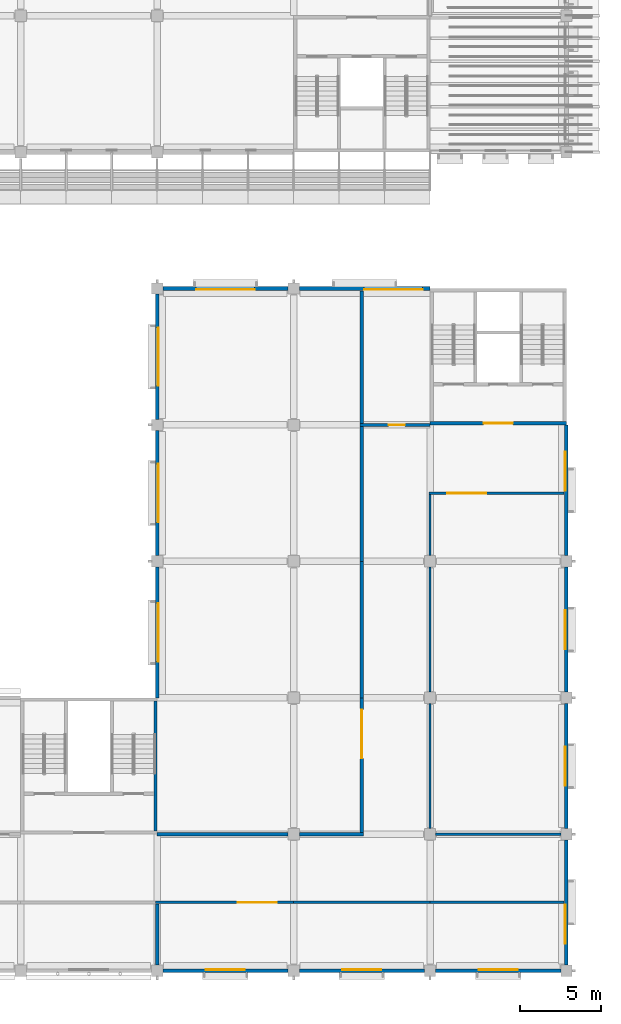
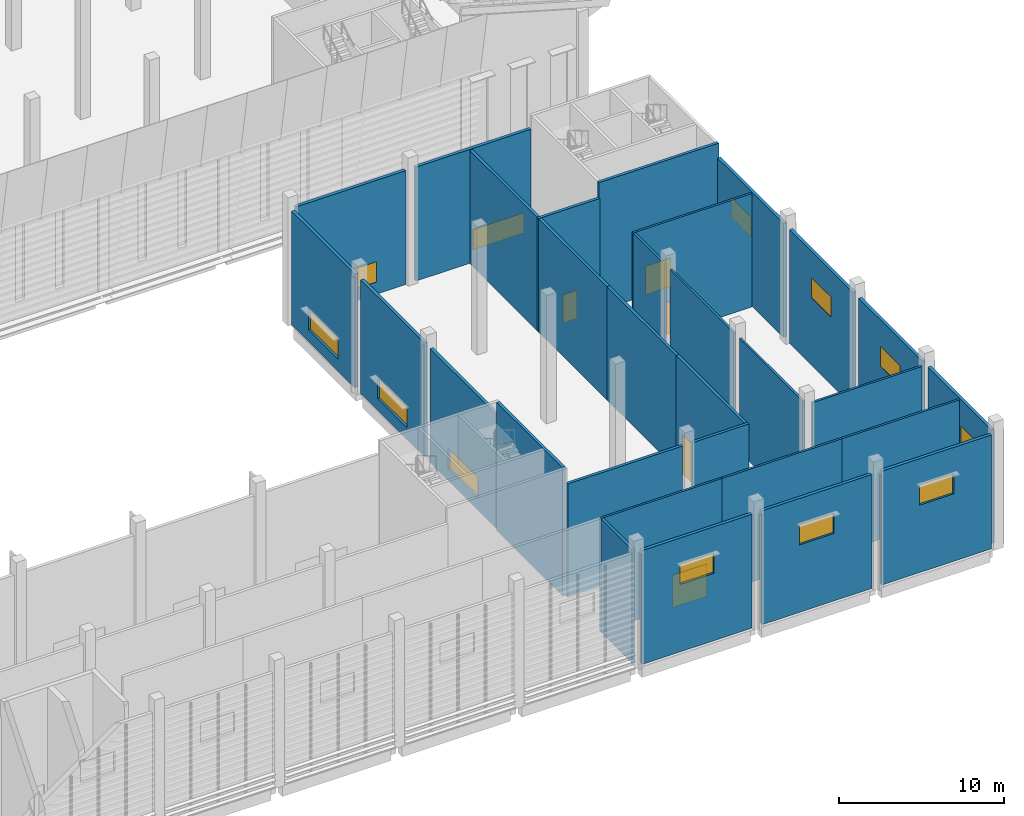
# One storey, part 49 of 114: 30 walls, 12 windows, 5 doors, 17 openings.
"""IFC4 building model written with IfcOpenShell, lengths in metres."""

from ifc_helpers import new_model, si_unit, direction, frame, frame_2d, origin, place, context, subcontext, project, spatial, rectangle, extrude, material, layer, layer_set, type_object, element, fill, save


model = new_model("IFC4")

# Units and contexts
model_context = context("Model", 3, precision=1e-05, world=origin(), true_north=direction((0.0, 1.0)))
body_context = subcontext(model_context, "Body", "Model", "MODEL_VIEW")
ifc_project = project(units=[si_unit("LENGTHUNIT", "METRE"), si_unit("AREAUNIT", "SQUARE_METRE"), si_unit("VOLUMEUNIT", "CUBIC_METRE"), si_unit("PLANEANGLEUNIT", "RADIAN"), si_unit("MASSUNIT", "GRAM", prefix="KILO")], contexts=[model_context])

# Site, building, storey
site_placement = place(None, origin())
site = spatial("IfcSite", under=ifc_project, at=site_placement, CompositionType="ELEMENT")
building_placement = place(site_placement, origin())
building = spatial("IfcBuilding", under=site, at=building_placement, Name="Almond Square Museum", CompositionType="ELEMENT")
storey_placement = place(building_placement, frame((0.0, 0.0, 10.5)))
storey = spatial("IfcBuildingStorey", under=building, at=storey_placement, Name="L02", CompositionType="ELEMENT", Elevation=10.5)

# Wall
ifc_material_1 = material(Name="Concrete blockwork 200", Category="masonry")
ifc_layer_1 = layer(ifc_material_1, 0.199951171875)
ifc_layer_set_1 = layer_set([ifc_layer_1], Name="Concrete blockwork 200")
wall_type_1 = type_object("IfcWallType", Name="Fire partition 200 blockwork", PredefinedType="PARTITIONING", material=ifc_layer_set_1)
wall_1_placement = place(storey_placement, frame((144.60009765625, 33.699951171875, 0.0), z_axis=(0.0, 0.0, 1.0), x_axis=(0.0, 1.0, 0.0)))
element("IfcWall", 1, at=wall_1_placement, inside=storey, type_object=wall_type_1, Name="L02 partition 17", PredefinedType="PARTITIONING", context=body_context, shape_type="SweptSolid", body=[
    extrude(rectangle(XDim=8.150146484375, YDim=0.199951171875, at=frame_2d((4.0751953125, 0.0))), origin(), (0.0, 0.0, 1.0), 8.39990234375),
])

# Wall, opening, door
wall_2_placement = place(storey_placement, frame((144.5, 33.60009765625, 0.0), z_axis=(0.0, 0.0, 1.0), x_axis=(1.0, 0.0, 0.0)))
wall_2 = element("IfcWall", 2, at=wall_2_placement, inside=storey, type_object=wall_type_1, Name="L02 partition 18", PredefinedType="PARTITIONING", context=body_context, shape_type="SweptSolid", body=[
    extrude(rectangle(XDim=4.300048828125, YDim=0.199951171875, at=frame_2d((2.14990234375, 0.0))), origin(), (0.0, 0.0, 1.0), 8.39990234375),
])
opening_1_placement = place(wall_2_placement, frame((1.75, 0.0, 0.0)))
opening_1 = element("IfcOpeningElement", 3, at=opening_1_placement, cuts=wall_2, Name="Opening D2104", PredefinedType="OPENING", context=body_context, shape_type="SweptSolid", body=[
    extrude(rectangle(XDim=1.0, YDim=2.10009765625, at=frame_2d((0.5, 1.050048828125))), frame((0.0, 0.10986328125, 0.0), z_axis=(0.0, -1.0, 0.0), x_axis=(1.0, 0.0, 0.0)), (0.0, 0.0, 1.0), 0.219970703125),
])
ifc_material_2 = material(Name="Steel", Category="steel")
door_type_1 = type_object("IfcDoorType", Name="Fire door 1000 x 2100 FD60 single", OperationType="NOTDEFINED", PredefinedType="DOOR", material=ifc_material_2)
door_1_placement = place(opening_1_placement, origin())
door_1 = element("IfcDoor", 4, at=door_1_placement, inside=storey, type_object=door_type_1, Name="L02 door Cleaners' Store 1 to Service Corridor 1", OperationType="SINGLE_SWING_RIGHT", OverallHeight=2.10009765625, OverallWidth=1.0, PredefinedType="DOOR", context=body_context, shape_type="SweptSolid", body=[
    extrude(rectangle(XDim=1.0, YDim=2.10009765625, at=frame_2d((0.5, 1.050048828125))), frame((0.0, 0.02490234375, 0.0), z_axis=(0.0, -1.0, 0.0), x_axis=(1.0, 0.0, 0.0)), (0.0, 0.0, 1.0), 0.050048828125),
])
fill(opening_1, door_1)

wall_3_placement = place(storey_placement, frame((144.60009765625, 8.5, 0.0), z_axis=(0.0, 0.0, 1.0), x_axis=(0.0, 1.0, 0.0)))
wall_3 = element("IfcWall", 5, at=wall_3_placement, inside=storey, type_object=wall_type_1, Name="L02 partition 19", PredefinedType="PARTITIONING", context=body_context, shape_type="SweptSolid", body=[
    extrude(rectangle(XDim=8.300048828125, YDim=0.199951171875, at=frame_2d((4.14990234375, 0.0))), origin(), (0.0, 0.0, 1.0), 8.39990234375),
])
opening_2_placement = place(wall_3_placement, frame((4.574951171875, 0.0, 0.0)))
opening_2 = element("IfcOpeningElement", 6, at=opening_2_placement, cuts=wall_3, Name="Opening D2105", PredefinedType="OPENING", context=body_context, shape_type="SweptSolid", body=[
    extrude(rectangle(XDim=3.0, YDim=3.0, at=frame_2d((1.5, 1.5))), frame((0.0, 0.10986328125, 0.0), z_axis=(0.0, -1.0, 0.0), x_axis=(1.0, 0.0, 0.0)), (0.0, 0.0, 1.0), 0.219970703125),
])
ifc_material_3 = material(Name="Steel", Category="steel")
door_type_2 = type_object("IfcDoorType", Name="Dock door 3000 x 3000 steel double", OperationType="NOTDEFINED", PredefinedType="DOOR", material=ifc_material_3)
door_2_placement = place(opening_2_placement, origin())
door_2 = element("IfcDoor", 7, at=door_2_placement, inside=storey, type_object=door_type_2, Name="L02 door Tall Object Store 1 to Service Corridor 1", OperationType="DOUBLE_DOOR_SINGLE_SWING", OverallHeight=3.0, OverallWidth=3.0, PredefinedType="DOOR", context=body_context, shape_type="SweptSolid", body=[
    extrude(rectangle(XDim=3.0, YDim=3.0, at=frame_2d((1.5, 1.5))), frame((0.0, 0.02490234375, 0.0), z_axis=(0.0, -1.0, 0.0), x_axis=(1.0, 0.0, 0.0)), (0.0, 0.0, 1.0), 0.050048828125),
])
fill(opening_2, door_2)

# Walls
wall_4_placement = place(storey_placement, frame((144.60009765625, 16.800048828125, 0.0), z_axis=(0.0, 0.0, 1.0), x_axis=(0.0, 1.0, 0.0)))
element("IfcWall", 8, at=wall_4_placement, inside=storey, type_object=wall_type_1, Name="L02 partition 20", PredefinedType="PARTITIONING", context=body_context, shape_type="SweptSolid", body=[
    extrude(rectangle(XDim=8.39990234375, YDim=0.199951171875, at=frame_2d((4.199951171875, 0.0))), origin(), (0.0, 0.0, 1.0), 8.39990234375),
])
wall_5_placement = place(storey_placement, frame((144.60009765625, 25.199951171875, 0.0), z_axis=(0.0, 0.0, 1.0), x_axis=(0.0, 1.0, 0.0)))
element("IfcWall", 9, at=wall_5_placement, inside=storey, type_object=wall_type_1, Name="L02 partition 21", PredefinedType="PARTITIONING", context=body_context, shape_type="SweptSolid", body=[
    extrude(rectangle(XDim=8.300048828125, YDim=0.199951171875, at=frame_2d((4.14990234375, 0.0))), origin(), (0.0, 0.0, 1.0), 8.39990234375),
])
wall_6_placement = place(storey_placement, frame((132.0, 8.39990234375, 0.0), z_axis=(0.0, 0.0, 1.0), x_axis=(1.0, 0.0, 0.0)))
element("IfcWall", 10, at=wall_6_placement, inside=storey, type_object=wall_type_1, Name="L02 partition 22", PredefinedType="PARTITIONING", context=body_context, shape_type="SweptSolid", body=[
    extrude(rectangle(XDim=8.050048828125, YDim=0.199951171875, at=frame_2d((4.02490234375, 0.0))), origin(), (0.0, 0.0, 1.0), 8.39990234375),
])
wall_7_placement = place(storey_placement, frame((140.75, 8.39990234375, 0.0), z_axis=(0.0, 0.0, 1.0), x_axis=(1.0, 0.0, 0.0)))
element("IfcWall", 11, at=wall_7_placement, inside=storey, type_object=wall_type_1, Name="L02 partition 23", PredefinedType="PARTITIONING", context=body_context, shape_type="SweptSolid", body=[
    extrude(rectangle(XDim=3.949951171875, YDim=0.199951171875, at=frame_2d((1.97509765625, 0.0))), origin(), (0.0, 0.0, 1.0), 8.39990234375),
])
wall_8_placement = place(storey_placement, frame((132.0, 0.35009765625, 0.0), z_axis=(0.0, 0.0, 1.0), x_axis=(0.0, 1.0, 0.0)))
element("IfcWall", 12, at=wall_8_placement, inside=storey, type_object=wall_type_1, Name="L02 partition 67", PredefinedType="PARTITIONING", context=body_context, shape_type="SweptSolid", body=[
    extrude(rectangle(XDim=3.75, YDim=0.199951171875, at=frame_2d((1.875, 0.0))), origin(), (0.0, 0.0, 1.0), 8.39990234375),
])

# Wall, opening, door
ifc_material_4 = material(Name="Plasterboard on steel stud", Category="steel")
ifc_layer_2 = layer(ifc_material_4, 0.14990234375)
ifc_layer_set_2 = layer_set([ifc_layer_2], Name="Plasterboard on steel stud")
wall_type_2 = type_object("IfcWallType", Name="Partition 150 plasterboard on steel stud", PredefinedType="PARTITIONING", material=ifc_layer_set_2)
wall_9_placement = place(storey_placement, frame((148.72509765625, 29.39990234375, 0.0), z_axis=(0.0, 0.0, 1.0), x_axis=(1.0, 0.0, 0.0)))
wall_9 = element("IfcWall", 13, at=wall_9_placement, inside=storey, type_object=wall_type_2, Name="L02 partition 26", PredefinedType="PARTITIONING", context=body_context, shape_type="SweptSolid", body=[
    extrude(rectangle(XDim=8.324951171875, YDim=0.14990234375, at=frame_2d((4.16259765625, 0.0))), origin(), (0.0, 0.0, 1.0), 8.39990234375),
])
opening_3_placement = place(wall_9_placement, frame((1.137451171875, 0.0, 0.0)))
opening_3 = element("IfcOpeningElement", 14, at=opening_3_placement, cuts=wall_9, Name="Opening D2107", PredefinedType="OPENING", context=body_context, shape_type="SweptSolid", body=[
    extrude(rectangle(XDim=2.39990234375, YDim=2.39990234375, at=frame_2d((1.199951171875, 1.199951171875))), frame((0.0, 0.0849609375, 0.0), z_axis=(0.0, -1.0, 0.0), x_axis=(1.0, 0.0, 0.0)), (0.0, 0.0, 1.0), 0.169921875),
])
ifc_material_5 = material(Name="Timber", Category="wood")
door_type_3 = type_object("IfcDoorType", Name="Gallery door 2400 x 2400 timber double", OperationType="NOTDEFINED", PredefinedType="DOOR", material=ifc_material_5)
door_3_placement = place(opening_3_placement, origin())
door_3 = element("IfcDoor", 15, at=door_3_placement, inside=storey, type_object=door_type_3, Name="L02 door Large Object Studio 1 to Service Corridor 1", OperationType="DOUBLE_DOOR_SINGLE_SWING", OverallHeight=2.39990234375, OverallWidth=2.39990234375, PredefinedType="DOOR", context=body_context, shape_type="SweptSolid", body=[
    extrude(rectangle(XDim=2.39990234375, YDim=2.39990234375, at=frame_2d((1.199951171875, 1.199951171875))), frame((0.0, 0.02490234375, 0.0), z_axis=(0.0, -1.0, 0.0), x_axis=(1.0, 0.0, 0.0)), (0.0, 0.0, 1.0), 0.050048828125),
])
fill(opening_3, door_3)

# Walls
wall_10_placement = place(storey_placement, frame((149.14990234375, 8.39990234375, 0.0), z_axis=(0.0, 0.0, 1.0), x_axis=(1.0, 0.0, 0.0)))
element("IfcWall", 16, at=wall_10_placement, inside=storey, type_object=wall_type_2, Name="L02 partition 27", PredefinedType="PARTITIONING", context=body_context, shape_type="SweptSolid", body=[
    extrude(rectangle(XDim=7.7001953125, YDim=0.14990234375, at=frame_2d((3.85009765625, 0.0))), origin(), (0.0, 0.0, 1.0), 8.39990234375),
])
wall_11_placement = place(storey_placement, frame((148.800048828125, 8.75, 0.0), z_axis=(0.0, 0.0, 1.0), x_axis=(0.0, 1.0, 0.0)))
element("IfcWall", 17, at=wall_11_placement, inside=storey, type_object=wall_type_2, Name="L02 partition 28", PredefinedType="PARTITIONING", context=body_context, shape_type="SweptSolid", body=[
    extrude(rectangle(XDim=7.699951171875, YDim=0.14990234375, at=frame_2d((3.85009765625, 0.0))), origin(), (0.0, 0.0, 1.0), 8.39990234375),
])
wall_12_placement = place(storey_placement, frame((148.800048828125, 17.14990234375, 0.0), z_axis=(0.0, 0.0, 1.0), x_axis=(0.0, 1.0, 0.0)))
element("IfcWall", 18, at=wall_12_placement, inside=storey, type_object=wall_type_2, Name="L02 partition 29", PredefinedType="PARTITIONING", context=body_context, shape_type="SweptSolid", body=[
    extrude(rectangle(XDim=7.7001953125, YDim=0.14990234375, at=frame_2d((3.85009765625, 0.0))), origin(), (0.0, 0.0, 1.0), 8.39990234375),
])
wall_13_placement = place(storey_placement, frame((148.800048828125, 25.550048828125, 0.0), z_axis=(0.0, 0.0, 1.0), x_axis=(0.0, 1.0, 0.0)))
element("IfcWall", 19, at=wall_13_placement, inside=storey, type_object=wall_type_2, Name="L02 partition 30", PredefinedType="PARTITIONING", context=body_context, shape_type="SweptSolid", body=[
    extrude(rectangle(XDim=3.77490234375, YDim=0.14990234375, at=frame_2d((1.887451171875, 0.0))), origin(), (0.0, 0.0, 1.0), 8.39990234375),
])

# Wall, opening, door
wall_14_placement = place(storey_placement, frame((131.89990234375, 4.199951171875, 0.0), z_axis=(0.0, 0.0, 1.0), x_axis=(1.0, 0.0, 0.0)))
wall_14 = element("IfcWall", 20, at=wall_14_placement, inside=storey, type_object=wall_type_2, Name="L02 partition 49", PredefinedType="PARTITIONING", context=body_context, shape_type="SweptSolid", body=[
    extrude(rectangle(XDim=8.5, YDim=0.14990234375, at=frame_2d((4.25, 0.0))), origin(), (0.0, 0.0, 1.0), 8.39990234375),
])
opening_4_placement = place(wall_14_placement, frame((5.074951171875, 0.0, 0.0)))
opening_4 = element("IfcOpeningElement", 21, at=opening_4_placement, cuts=wall_14, Name="Opening D2118", PredefinedType="OPENING", context=body_context, shape_type="SweptSolid", body=[
    extrude(rectangle(XDim=2.39990234375, YDim=2.39990234375, at=frame_2d((1.199951171875, 1.199951171875))), frame((0.0, 0.0849609375, 0.0), z_axis=(0.0, -1.0, 0.0), x_axis=(1.0, 0.0, 0.0)), (0.0, 0.0, 1.0), 0.169921875),
])
door_4_placement = place(opening_4_placement, origin())
door_4 = element("IfcDoor", 22, at=door_4_placement, inside=storey, type_object=door_type_3, Name="L02 door Large Object Workshop to Service Corridor 1", OperationType="DOUBLE_DOOR_SINGLE_SWING", OverallHeight=2.39990234375, OverallWidth=2.39990234375, PredefinedType="DOOR", context=body_context, shape_type="SweptSolid", body=[
    extrude(rectangle(XDim=2.39990234375, YDim=2.39990234375, at=frame_2d((1.199951171875, 1.199951171875))), frame((0.0, 0.02490234375, 0.0), z_axis=(0.0, -1.0, 0.0), x_axis=(1.0, 0.0, 0.0)), (0.0, 0.0, 1.0), 0.050048828125),
])
fill(opening_4, door_4)

# Walls
wall_15_placement = place(storey_placement, frame((140.39990234375, 4.199951171875, 0.0), z_axis=(0.0, 0.0, 1.0), x_axis=(1.0, 0.0, 0.0)))
element("IfcWall", 23, at=wall_15_placement, inside=storey, type_object=wall_type_2, Name="L02 partition 50", PredefinedType="PARTITIONING", context=body_context, shape_type="SweptSolid", body=[
    extrude(rectangle(XDim=8.400146484375, YDim=0.14990234375, at=frame_2d((4.2001953125, 0.0))), origin(), (0.0, 0.0, 1.0), 8.39990234375),
])
wall_16_placement = place(storey_placement, frame((148.800048828125, 4.199951171875, 0.0), z_axis=(0.0, 0.0, 1.0), x_axis=(1.0, 0.0, 0.0)))
element("IfcWall", 24, at=wall_16_placement, inside=storey, type_object=wall_type_2, Name="L02 partition 51", PredefinedType="PARTITIONING", context=body_context, shape_type="SweptSolid", body=[
    extrude(rectangle(XDim=8.25, YDim=0.14990234375, at=frame_2d((4.125, 0.0))), origin(), (0.0, 0.0, 1.0), 8.39990234375),
])
ifc_material_6 = material(Name="Concrete C40/50", Category="concrete")
ifc_layer_3 = layer(ifc_material_6, 0.199951171875)
ifc_layer_set_3 = layer_set([ifc_layer_3], Name="Concrete C40/50")
wall_type_3 = type_object("IfcWallType", Name="RC shear wall 200 C40/50", PredefinedType="SHEAR", material=ifc_layer_set_3)
wall_17_placement = place(storey_placement, frame((131.89990234375, 8.60009765625, 0.0), z_axis=(0.0, 0.0, 1.0), x_axis=(0.0, 1.0, 0.0)))
element("IfcWall", 25, at=wall_17_placement, inside=storey, type_object=wall_type_3, Name="Core S3 east wall L02", PredefinedType="SHEAR", context=body_context, shape_type="SweptSolid", body=[
    extrude(rectangle(XDim=8.0, YDim=0.199951171875, at=frame_2d((4.0, 0.0))), origin(), (0.0, 0.0, 1.0), 9.5),
])

# Wall, opening, door
wall_18_placement = place(storey_placement, frame((148.800048828125, 33.699951171875, 0.0), z_axis=(0.0, 0.0, 1.0), x_axis=(1.0, 0.0, 0.0)))
wall_18 = element("IfcWall", 26, at=wall_18_placement, inside=storey, type_object=wall_type_3, Name="Core X1 south wall L02", PredefinedType="SHEAR", context=body_context, shape_type="SweptSolid", body=[
    extrude(rectangle(XDim=8.39990234375, YDim=0.199951171875, at=frame_2d((4.199951171875, 0.0))), origin(), (0.0, 0.0, 1.0), 9.5),
])
opening_5_placement = place(wall_18_placement, frame((3.300048828125, 0.0, 0.0)))
opening_5 = element("IfcOpeningElement", 27, at=opening_5_placement, cuts=wall_18, Name="Opening D2176", PredefinedType="OPENING", context=body_context, shape_type="SweptSolid", body=[
    extrude(rectangle(XDim=1.800048828125, YDim=2.10009765625, at=frame_2d((0.89990234375, 1.050048828125))), frame((0.0, 0.10986328125, 0.0), z_axis=(0.0, -1.0, 0.0), x_axis=(1.0, 0.0, 0.0)), (0.0, 0.0, 1.0), 0.219970703125),
])
ifc_material_7 = material(Name="Steel", Category="steel")
door_type_4 = type_object("IfcDoorType", Name="Fire door 1800 x 2100 FD60 double", OperationType="NOTDEFINED", PredefinedType="DOOR", material=ifc_material_7)
door_5_placement = place(opening_5_placement, origin())
door_5 = element("IfcDoor", 28, at=door_5_placement, inside=storey, type_object=door_type_4, Name="L02 stair core X1 lobby door", OperationType="DOUBLE_DOOR_SINGLE_SWING", OverallHeight=2.10009765625, OverallWidth=1.800048828125, PredefinedType="DOOR", context=body_context, shape_type="SweptSolid", body=[
    extrude(rectangle(XDim=1.800048828125, YDim=2.10009765625, at=frame_2d((0.89990234375, 1.050048828125))), frame((0.0, 0.02490234375, 0.0), z_axis=(0.0, -1.0, 0.0), x_axis=(1.0, 0.0, 0.0)), (0.0, 0.0, 1.0), 0.050048828125),
])
fill(opening_5, door_5)

# Wall, opening, window
ifc_material_8 = material(Name="Concrete C30/37", Category="concrete")
ifc_layer_4 = layer(ifc_material_8, 0.219970703125)
ifc_layer_set_4 = layer_set([ifc_layer_4], Name="Concrete C30/37")
wall_type_4 = type_object("IfcWallType", Name="Stucco panel wall 220 with insulation", PredefinedType="SOLIDWALL", material=ifc_layer_set_4)
wall_19_placement = place(storey_placement, frame((132.35009765625, 0.0, 0.0), z_axis=(0.0, 0.0, 1.0), x_axis=(1.0, 0.0, 0.0)))
wall_19 = element("IfcWall", 29, at=wall_19_placement, inside=storey, type_object=wall_type_4, Name="External wall W4 V5E L02 S01", PredefinedType="SOLIDWALL", context=body_context, shape_type="SweptSolid", body=[
    extrude(rectangle(XDim=7.699951171875, YDim=0.219970703125, at=frame_2d((3.85009765625, 0.0))), origin(), (0.0, 0.0, 1.0), 8.43994140625),
])
opening_6_placement = place(wall_19_placement, frame((2.64990234375, 0.0, 5.0)))
opening_6 = element("IfcOpeningElement", 30, at=opening_6_placement, cuts=wall_19, Name="Opening W2015", PredefinedType="OPENING", context=body_context, shape_type="SweptSolid", body=[
    extrude(rectangle(XDim=2.39990234375, YDim=1.5, at=frame_2d((1.199951171875, 0.75))), frame((0.0, 0.119873046875, 0.0), z_axis=(0.0, -1.0, 0.0), x_axis=(1.0, 0.0, 0.0)), (0.0, 0.0, 1.0), 0.239990234375),
])
ifc_material_9 = material(Name="Aluminium frame and laminated glass", Category="aluminium")
window_type_1 = type_object("IfcWindowType", Name="Tall studio clerestory window", PartitioningType="SINGLE_PANEL", PredefinedType="WINDOW", material=ifc_material_9)
window_1_placement = place(opening_6_placement, origin())
window_1 = element("IfcWindow", 31, at=window_1_placement, inside=storey, type_object=window_type_1, Name="Tall studio clerestory window W2015", OverallHeight=1.5, OverallWidth=2.39990234375, PartitioningType="SINGLE_PANEL", PredefinedType="WINDOW", context=body_context, shape_type="SweptSolid", body=[
    extrude(rectangle(XDim=2.39990234375, YDim=1.5, at=frame_2d((1.199951171875, 0.75))), frame((0.0, 0.090087890625, 0.0), z_axis=(0.0, -1.0, 0.0), x_axis=(1.0, 0.0, 0.0)), (0.0, 0.0, 1.0), 0.06005859375),
])
fill(opening_6, window_1)

wall_20_placement = place(storey_placement, frame((140.75, 0.0, 0.0), z_axis=(0.0, 0.0, 1.0), x_axis=(1.0, 0.0, 0.0)))
wall_20 = element("IfcWall", 32, at=wall_20_placement, inside=storey, type_object=wall_type_4, Name="External wall W4 V5E L02 S02", PredefinedType="SOLIDWALL", context=body_context, shape_type="SweptSolid", body=[
    extrude(rectangle(XDim=7.699951171875, YDim=0.219970703125, at=frame_2d((3.85009765625, 0.0))), origin(), (0.0, 0.0, 1.0), 8.43994140625),
])
opening_7_placement = place(wall_20_placement, frame((2.64990234375, 0.0, 5.0)))
opening_7 = element("IfcOpeningElement", 33, at=opening_7_placement, cuts=wall_20, Name="Opening W2016", PredefinedType="OPENING", context=body_context, shape_type="SweptSolid", body=[
    extrude(rectangle(XDim=2.39990234375, YDim=1.5, at=frame_2d((1.199951171875, 0.75))), frame((0.0, 0.119873046875, 0.0), z_axis=(0.0, -1.0, 0.0), x_axis=(1.0, 0.0, 0.0)), (0.0, 0.0, 1.0), 0.239990234375),
])
window_2_placement = place(opening_7_placement, origin())
window_2 = element("IfcWindow", 34, at=window_2_placement, inside=storey, type_object=window_type_1, Name="Tall studio clerestory window W2016", OverallHeight=1.5, OverallWidth=2.39990234375, PartitioningType="SINGLE_PANEL", PredefinedType="WINDOW", context=body_context, shape_type="SweptSolid", body=[
    extrude(rectangle(XDim=2.39990234375, YDim=1.5, at=frame_2d((1.199951171875, 0.75))), frame((0.0, 0.090087890625, 0.0), z_axis=(0.0, -1.0, 0.0), x_axis=(1.0, 0.0, 0.0)), (0.0, 0.0, 1.0), 0.06005859375),
])
fill(opening_7, window_2)

wall_21_placement = place(storey_placement, frame((149.14990234375, 0.0, 0.0), z_axis=(0.0, 0.0, 1.0), x_axis=(1.0, 0.0, 0.0)))
wall_21 = element("IfcWall", 35, at=wall_21_placement, inside=storey, type_object=wall_type_4, Name="External wall W4 V5E L02 S03", PredefinedType="SOLIDWALL", context=body_context, shape_type="SweptSolid", body=[
    extrude(rectangle(XDim=7.7001953125, YDim=0.219970703125, at=frame_2d((3.85009765625, 0.0))), origin(), (0.0, 0.0, 1.0), 8.43994140625),
])
opening_8_placement = place(wall_21_placement, frame((2.64990234375, 0.0, 5.0)))
opening_8 = element("IfcOpeningElement", 36, at=opening_8_placement, cuts=wall_21, Name="Opening W2017", PredefinedType="OPENING", context=body_context, shape_type="SweptSolid", body=[
    extrude(rectangle(XDim=2.39990234375, YDim=1.5, at=frame_2d((1.199951171875, 0.75))), frame((0.0, 0.119873046875, 0.0), z_axis=(0.0, -1.0, 0.0), x_axis=(1.0, 0.0, 0.0)), (0.0, 0.0, 1.0), 0.239990234375),
])
window_3_placement = place(opening_8_placement, origin())
window_3 = element("IfcWindow", 37, at=window_3_placement, inside=storey, type_object=window_type_1, Name="Tall studio clerestory window W2017", OverallHeight=1.5, OverallWidth=2.39990234375, PartitioningType="SINGLE_PANEL", PredefinedType="WINDOW", context=body_context, shape_type="SweptSolid", body=[
    extrude(rectangle(XDim=2.39990234375, YDim=1.5, at=frame_2d((1.199951171875, 0.75))), frame((0.0, 0.090087890625, 0.0), z_axis=(0.0, -1.0, 0.0), x_axis=(1.0, 0.0, 0.0)), (0.0, 0.0, 1.0), 0.06005859375),
])
fill(opening_8, window_3)

wall_22_placement = place(storey_placement, frame((157.199951171875, 0.35009765625, 0.0), z_axis=(0.0, 0.0, 1.0), x_axis=(0.0, 1.0, 0.0)))
wall_22 = element("IfcWall", 38, at=wall_22_placement, inside=storey, type_object=wall_type_4, Name="External wall W4 V5E L02 E01", PredefinedType="SOLIDWALL", context=body_context, shape_type="SweptSolid", body=[
    extrude(rectangle(XDim=7.699951171875, YDim=0.219970703125, at=frame_2d((3.85009765625, 0.0))), origin(), (0.0, 0.0, 1.0), 8.43994140625),
])
opening_9_placement = place(wall_22_placement, frame((1.300048828125, 0.0, 5.0)))
opening_9 = element("IfcOpeningElement", 39, at=opening_9_placement, cuts=wall_22, Name="Opening W2018", PredefinedType="OPENING", context=body_context, shape_type="SweptSolid", body=[
    extrude(rectangle(XDim=2.39990234375, YDim=1.5, at=frame_2d((1.199951171875, 0.75))), frame((0.0, 0.119873046875, 0.0), z_axis=(0.0, -1.0, 0.0), x_axis=(1.0, 0.0, 0.0)), (0.0, 0.0, 1.0), 0.239990234375),
])
window_4_placement = place(opening_9_placement, origin())
window_4 = element("IfcWindow", 40, at=window_4_placement, inside=storey, type_object=window_type_1, Name="Tall studio clerestory window W2018", OverallHeight=1.5, OverallWidth=2.39990234375, PartitioningType="SINGLE_PANEL", PredefinedType="WINDOW", context=body_context, shape_type="SweptSolid", body=[
    extrude(rectangle(XDim=2.39990234375, YDim=1.5, at=frame_2d((1.199951171875, 0.75))), frame((0.0, 0.090087890625, 0.0), z_axis=(0.0, -1.0, 0.0), x_axis=(1.0, 0.0, 0.0)), (0.0, 0.0, 1.0), 0.06005859375),
])
fill(opening_9, window_4)

wall_23_placement = place(storey_placement, frame((157.199951171875, 8.75, 0.0), z_axis=(0.0, 0.0, 1.0), x_axis=(0.0, 1.0, 0.0)))
wall_23 = element("IfcWall", 41, at=wall_23_placement, inside=storey, type_object=wall_type_4, Name="External wall W4 V5E L02 E02", PredefinedType="SOLIDWALL", context=body_context, shape_type="SweptSolid", body=[
    extrude(rectangle(XDim=7.699951171875, YDim=0.219970703125, at=frame_2d((3.85009765625, 0.0))), origin(), (0.0, 0.0, 1.0), 8.43994140625),
])
opening_10_placement = place(wall_23_placement, frame((2.64990234375, 0.0, 5.0)))
opening_10 = element("IfcOpeningElement", 42, at=opening_10_placement, cuts=wall_23, Name="Opening W2019", PredefinedType="OPENING", context=body_context, shape_type="SweptSolid", body=[
    extrude(rectangle(XDim=2.39990234375, YDim=1.5, at=frame_2d((1.199951171875, 0.75))), frame((0.0, 0.119873046875, 0.0), z_axis=(0.0, -1.0, 0.0), x_axis=(1.0, 0.0, 0.0)), (0.0, 0.0, 1.0), 0.239990234375),
])
window_5_placement = place(opening_10_placement, origin())
window_5 = element("IfcWindow", 43, at=window_5_placement, inside=storey, type_object=window_type_1, Name="Tall studio clerestory window W2019", OverallHeight=1.5, OverallWidth=2.39990234375, PartitioningType="SINGLE_PANEL", PredefinedType="WINDOW", context=body_context, shape_type="SweptSolid", body=[
    extrude(rectangle(XDim=2.39990234375, YDim=1.5, at=frame_2d((1.199951171875, 0.75))), frame((0.0, 0.090087890625, 0.0), z_axis=(0.0, -1.0, 0.0), x_axis=(1.0, 0.0, 0.0)), (0.0, 0.0, 1.0), 0.06005859375),
])
fill(opening_10, window_5)

wall_24_placement = place(storey_placement, frame((157.199951171875, 17.14990234375, 0.0), z_axis=(0.0, 0.0, 1.0), x_axis=(0.0, 1.0, 0.0)))
wall_24 = element("IfcWall", 44, at=wall_24_placement, inside=storey, type_object=wall_type_4, Name="External wall W4 V5E L02 E03", PredefinedType="SOLIDWALL", context=body_context, shape_type="SweptSolid", body=[
    extrude(rectangle(XDim=7.7001953125, YDim=0.219970703125, at=frame_2d((3.85009765625, 0.0))), origin(), (0.0, 0.0, 1.0), 8.43994140625),
])
opening_11_placement = place(wall_24_placement, frame((2.64990234375, 0.0, 5.0)))
opening_11 = element("IfcOpeningElement", 45, at=opening_11_placement, cuts=wall_24, Name="Opening W2020", PredefinedType="OPENING", context=body_context, shape_type="SweptSolid", body=[
    extrude(rectangle(XDim=2.39990234375, YDim=1.5, at=frame_2d((1.199951171875, 0.75))), frame((0.0, 0.119873046875, 0.0), z_axis=(0.0, -1.0, 0.0), x_axis=(1.0, 0.0, 0.0)), (0.0, 0.0, 1.0), 0.239990234375),
])
window_6_placement = place(opening_11_placement, origin())
window_6 = element("IfcWindow", 46, at=window_6_placement, inside=storey, type_object=window_type_1, Name="Tall studio clerestory window W2020", OverallHeight=1.5, OverallWidth=2.39990234375, PartitioningType="SINGLE_PANEL", PredefinedType="WINDOW", context=body_context, shape_type="SweptSolid", body=[
    extrude(rectangle(XDim=2.39990234375, YDim=1.5, at=frame_2d((1.199951171875, 0.75))), frame((0.0, 0.090087890625, 0.0), z_axis=(0.0, -1.0, 0.0), x_axis=(1.0, 0.0, 0.0)), (0.0, 0.0, 1.0), 0.06005859375),
])
fill(opening_11, window_6)

wall_25_placement = place(storey_placement, frame((157.199951171875, 25.550048828125, 0.0), z_axis=(0.0, 0.0, 1.0), x_axis=(0.0, 1.0, 0.0)))
wall_25 = element("IfcWall", 47, at=wall_25_placement, inside=storey, type_object=wall_type_4, Name="External wall W4 V5E L02 E04", PredefinedType="SOLIDWALL", context=body_context, shape_type="SweptSolid", body=[
    extrude(rectangle(XDim=8.050048828125, YDim=0.219970703125, at=frame_2d((4.02490234375, 0.0))), origin(), (0.0, 0.0, 1.0), 8.43994140625),
])
opening_12_placement = place(wall_25_placement, frame((4.0, 0.0, 5.0)))
opening_12 = element("IfcOpeningElement", 48, at=opening_12_placement, cuts=wall_25, Name="Opening W2021", PredefinedType="OPENING", context=body_context, shape_type="SweptSolid", body=[
    extrude(rectangle(XDim=2.39990234375, YDim=1.5, at=frame_2d((1.199951171875, 0.75))), frame((0.0, 0.119873046875, 0.0), z_axis=(0.0, -1.0, 0.0), x_axis=(1.0, 0.0, 0.0)), (0.0, 0.0, 1.0), 0.239990234375),
])
window_7_placement = place(opening_12_placement, origin())
window_7 = element("IfcWindow", 49, at=window_7_placement, inside=storey, type_object=window_type_1, Name="Tall studio clerestory window W2021", OverallHeight=1.5, OverallWidth=2.39990234375, PartitioningType="SINGLE_PANEL", PredefinedType="WINDOW", context=body_context, shape_type="SweptSolid", body=[
    extrude(rectangle(XDim=2.39990234375, YDim=1.5, at=frame_2d((1.199951171875, 0.75))), frame((0.0, 0.090087890625, 0.0), z_axis=(0.0, -1.0, 0.0), x_axis=(1.0, 0.0, 0.0)), (0.0, 0.0, 1.0), 0.06005859375),
])
fill(opening_12, window_7)

wall_26_placement = place(storey_placement, frame((140.75, 42.0, 0.0), z_axis=(0.0, 0.0, 1.0), x_axis=(1.0, 0.0, 0.0)))
wall_26 = element("IfcWall", 50, at=wall_26_placement, inside=storey, type_object=wall_type_4, Name="External wall W4 V5E L02 N01", PredefinedType="SOLIDWALL", context=body_context, shape_type="SweptSolid", body=[
    extrude(rectangle(XDim=8.050048828125, YDim=0.219970703125, at=frame_2d((4.02490234375, 0.0))), origin(), (0.0, 0.0, 1.0), 8.43994140625),
])
opening_13_placement = place(wall_26_placement, frame((4.0, 0.0, 0.89990234375)))
opening_13 = element("IfcOpeningElement", 51, at=opening_13_placement, cuts=wall_26, Name="Opening W2022", PredefinedType="OPENING", context=body_context, shape_type="SweptSolid", body=[
    extrude(rectangle(XDim=3.60009765625, YDim=1.5, at=frame_2d((1.800048828125, 0.75))), frame((0.0, 0.119873046875, 0.0), z_axis=(0.0, -1.0, 0.0), x_axis=(1.0, 0.0, 0.0)), (0.0, 0.0, 1.0), 0.239990234375),
])
ifc_material_10 = material(Name="Aluminium frame and laminated glass", Category="aluminium")
window_type_2 = type_object("IfcWindowType", Name="Office ribbon window", PartitioningType="SINGLE_PANEL", PredefinedType="WINDOW", material=ifc_material_10)
window_8_placement = place(opening_13_placement, origin())
window_8 = element("IfcWindow", 52, at=window_8_placement, inside=storey, type_object=window_type_2, Name="Office ribbon window W2022", OverallHeight=1.5, OverallWidth=3.60009765625, PartitioningType="DOUBLE_PANEL_VERTICAL", PredefinedType="WINDOW", context=body_context, shape_type="SweptSolid", body=[
    extrude(rectangle(XDim=3.60009765625, YDim=1.5, at=frame_2d((1.800048828125, 0.75))), frame((0.0, -0.030029296875, 0.0), z_axis=(0.0, -1.0, 0.0), x_axis=(1.0, 0.0, 0.0)), (0.0, 0.0, 1.0), 0.06005859375),
])
fill(opening_13, window_8)

wall_27_placement = place(storey_placement, frame((132.35009765625, 42.0, 0.0), z_axis=(0.0, 0.0, 1.0), x_axis=(1.0, 0.0, 0.0)))
wall_27 = element("IfcWall", 53, at=wall_27_placement, inside=storey, type_object=wall_type_4, Name="External wall W4 V5E L02 N02", PredefinedType="SOLIDWALL", context=body_context, shape_type="SweptSolid", body=[
    extrude(rectangle(XDim=7.699951171875, YDim=0.219970703125, at=frame_2d((3.85009765625, 0.0))), origin(), (0.0, 0.0, 1.0), 8.43994140625),
])
opening_14_placement = place(wall_27_placement, frame((2.050048828125, 0.0, 0.89990234375)))
opening_14 = element("IfcOpeningElement", 54, at=opening_14_placement, cuts=wall_27, Name="Opening W2023", PredefinedType="OPENING", context=body_context, shape_type="SweptSolid", body=[
    extrude(rectangle(XDim=3.60009765625, YDim=1.5, at=frame_2d((1.800048828125, 0.75))), frame((0.0, 0.119873046875, 0.0), z_axis=(0.0, -1.0, 0.0), x_axis=(1.0, 0.0, 0.0)), (0.0, 0.0, 1.0), 0.239990234375),
])
window_9_placement = place(opening_14_placement, origin())
window_9 = element("IfcWindow", 55, at=window_9_placement, inside=storey, type_object=window_type_2, Name="Office ribbon window W2023", OverallHeight=1.5, OverallWidth=3.60009765625, PartitioningType="DOUBLE_PANEL_VERTICAL", PredefinedType="WINDOW", context=body_context, shape_type="SweptSolid", body=[
    extrude(rectangle(XDim=3.60009765625, YDim=1.5, at=frame_2d((1.800048828125, 0.75))), frame((0.0, -0.030029296875, 0.0), z_axis=(0.0, -1.0, 0.0), x_axis=(1.0, 0.0, 0.0)), (0.0, 0.0, 1.0), 0.06005859375),
])
fill(opening_14, window_9)

wall_28_placement = place(storey_placement, frame((132.0, 33.949951171875, 0.0), z_axis=(0.0, 0.0, 1.0), x_axis=(0.0, 1.0, 0.0)))
wall_28 = element("IfcWall", 56, at=wall_28_placement, inside=storey, type_object=wall_type_4, Name="External wall W4 V5E L02 W01", PredefinedType="SOLIDWALL", context=body_context, shape_type="SweptSolid", body=[
    extrude(rectangle(XDim=7.699951171875, YDim=0.219970703125, at=frame_2d((3.85009765625, 0.0))), origin(), (0.0, 0.0, 1.0), 8.43994140625),
])
opening_15_placement = place(wall_28_placement, frame((2.050048828125, 0.0, 0.89990234375)))
opening_15 = element("IfcOpeningElement", 57, at=opening_15_placement, cuts=wall_28, Name="Opening W2024", PredefinedType="OPENING", context=body_context, shape_type="SweptSolid", body=[
    extrude(rectangle(XDim=3.60009765625, YDim=1.5, at=frame_2d((1.800048828125, 0.75))), frame((0.0, 0.119873046875, 0.0), z_axis=(0.0, -1.0, 0.0), x_axis=(1.0, 0.0, 0.0)), (0.0, 0.0, 1.0), 0.239990234375),
])
window_10_placement = place(opening_15_placement, origin())
window_10 = element("IfcWindow", 58, at=window_10_placement, inside=storey, type_object=window_type_2, Name="Office ribbon window W2024", OverallHeight=1.5, OverallWidth=3.60009765625, PartitioningType="DOUBLE_PANEL_VERTICAL", PredefinedType="WINDOW", context=body_context, shape_type="SweptSolid", body=[
    extrude(rectangle(XDim=3.60009765625, YDim=1.5, at=frame_2d((1.800048828125, 0.75))), frame((0.0, -0.030029296875, 0.0), z_axis=(0.0, -1.0, 0.0), x_axis=(1.0, 0.0, 0.0)), (0.0, 0.0, 1.0), 0.06005859375),
])
fill(opening_15, window_10)

wall_29_placement = place(storey_placement, frame((132.0, 25.550048828125, 0.0), z_axis=(0.0, 0.0, 1.0), x_axis=(0.0, 1.0, 0.0)))
wall_29 = element("IfcWall", 59, at=wall_29_placement, inside=storey, type_object=wall_type_4, Name="External wall W4 V5E L02 W02", PredefinedType="SOLIDWALL", context=body_context, shape_type="SweptSolid", body=[
    extrude(rectangle(XDim=7.699951171875, YDim=0.219970703125, at=frame_2d((3.85009765625, 0.0))), origin(), (0.0, 0.0, 1.0), 8.43994140625),
])
opening_16_placement = place(wall_29_placement, frame((2.050048828125, 0.0, 0.89990234375)))
opening_16 = element("IfcOpeningElement", 60, at=opening_16_placement, cuts=wall_29, Name="Opening W2025", PredefinedType="OPENING", context=body_context, shape_type="SweptSolid", body=[
    extrude(rectangle(XDim=3.60009765625, YDim=1.5, at=frame_2d((1.800048828125, 0.75))), frame((0.0, 0.119873046875, 0.0), z_axis=(0.0, -1.0, 0.0), x_axis=(1.0, 0.0, 0.0)), (0.0, 0.0, 1.0), 0.239990234375),
])
window_11_placement = place(opening_16_placement, origin())
window_11 = element("IfcWindow", 61, at=window_11_placement, inside=storey, type_object=window_type_2, Name="Office ribbon window W2025", OverallHeight=1.5, OverallWidth=3.60009765625, PartitioningType="DOUBLE_PANEL_VERTICAL", PredefinedType="WINDOW", context=body_context, shape_type="SweptSolid", body=[
    extrude(rectangle(XDim=3.60009765625, YDim=1.5, at=frame_2d((1.800048828125, 0.75))), frame((0.0, -0.030029296875, 0.0), z_axis=(0.0, -1.0, 0.0), x_axis=(1.0, 0.0, 0.0)), (0.0, 0.0, 1.0), 0.06005859375),
])
fill(opening_16, window_11)

wall_30_placement = place(storey_placement, frame((132.0, 16.800048828125, 0.0), z_axis=(0.0, 0.0, 1.0), x_axis=(0.0, 1.0, 0.0)))
wall_30 = element("IfcWall", 62, at=wall_30_placement, inside=storey, type_object=wall_type_4, Name="External wall W4 V5E L02 W03", PredefinedType="SOLIDWALL", context=body_context, shape_type="SweptSolid", body=[
    extrude(rectangle(XDim=8.050048828125, YDim=0.219970703125, at=frame_2d((4.02490234375, 0.0))), origin(), (0.0, 0.0, 1.0), 8.43994140625),
])
opening_17_placement = place(wall_30_placement, frame((2.22509765625, 0.0, 0.89990234375)))
opening_17 = element("IfcOpeningElement", 63, at=opening_17_placement, cuts=wall_30, Name="Opening W2026", PredefinedType="OPENING", context=body_context, shape_type="SweptSolid", body=[
    extrude(rectangle(XDim=3.60009765625, YDim=1.5, at=frame_2d((1.800048828125, 0.75))), frame((0.0, 0.119873046875, 0.0), z_axis=(0.0, -1.0, 0.0), x_axis=(1.0, 0.0, 0.0)), (0.0, 0.0, 1.0), 0.239990234375),
])
window_12_placement = place(opening_17_placement, origin())
window_12 = element("IfcWindow", 64, at=window_12_placement, inside=storey, type_object=window_type_2, Name="Office ribbon window W2026", OverallHeight=1.5, OverallWidth=3.60009765625, PartitioningType="DOUBLE_PANEL_VERTICAL", PredefinedType="WINDOW", context=body_context, shape_type="SweptSolid", body=[
    extrude(rectangle(XDim=3.60009765625, YDim=1.5, at=frame_2d((1.800048828125, 0.75))), frame((0.0, -0.030029296875, 0.0), z_axis=(0.0, -1.0, 0.0), x_axis=(1.0, 0.0, 0.0)), (0.0, 0.0, 1.0), 0.06005859375),
])
fill(opening_17, window_12)

save(model, "model.ifc")
